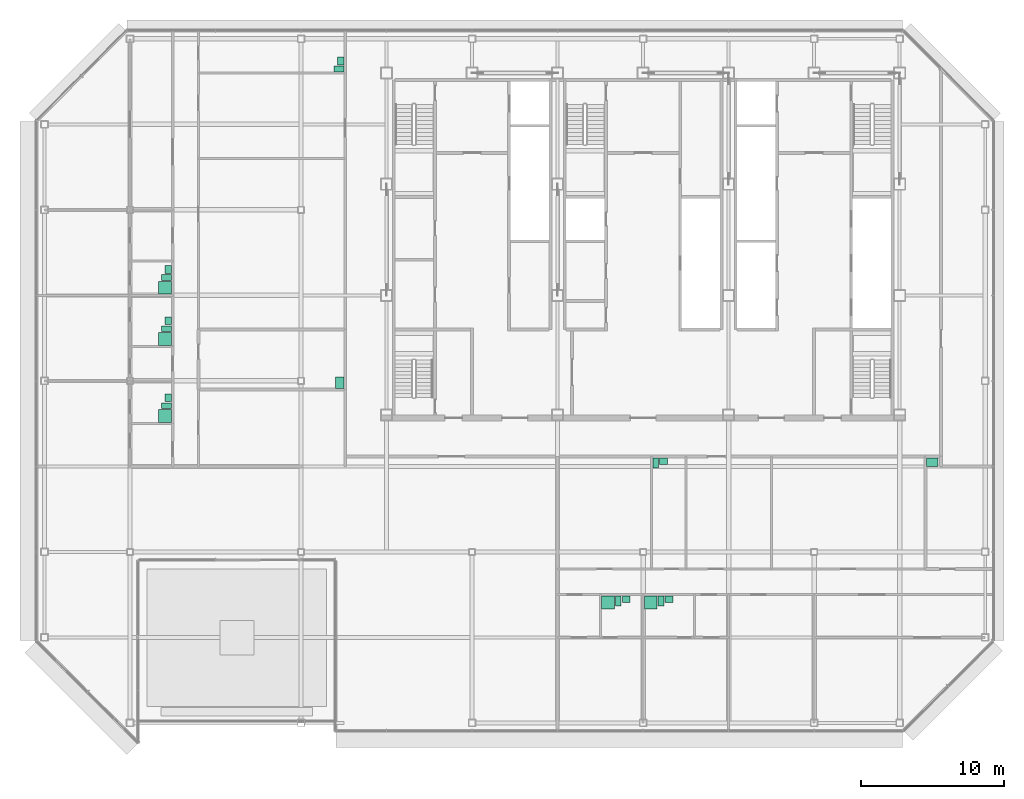
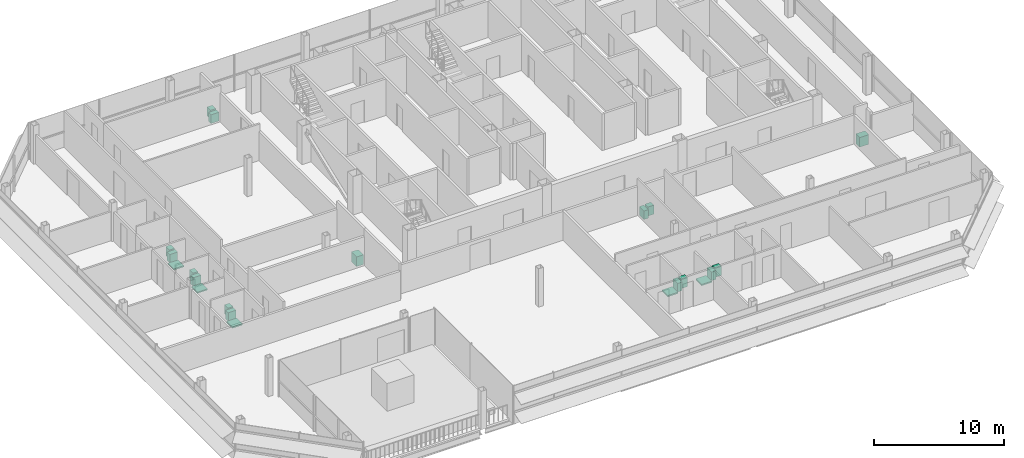
# One storey, part 30 of 31: 21 sanitary terminals.
"""IFC4 building model written with IfcOpenShell, lengths in metres."""

from ifc_helpers import new_model, si_unit, direction, frame, origin, origin_2d, place, context, subcontext, project, spatial, rectangle, extrude, element, save


model = new_model("IFC4")

# Units and contexts
model_context = context("Model", 3, precision=1e-05, world=origin(), true_north=direction((0.0, 1.0)))
body_context = subcontext(model_context, "Body", "Model", "MODEL_VIEW")
ifc_project = project(units=[si_unit("LENGTHUNIT", "METRE"), si_unit("AREAUNIT", "SQUARE_METRE"), si_unit("VOLUMEUNIT", "CUBIC_METRE"), si_unit("PLANEANGLEUNIT", "RADIAN"), si_unit("MASSUNIT", "GRAM", prefix="KILO")], contexts=[model_context])

# Site, building, storey
site_placement = place(None, origin())
site = spatial("IfcSite", under=ifc_project, at=site_placement, CompositionType="ELEMENT")
building_placement = place(site_placement, origin())
building = spatial("IfcBuilding", under=site, at=building_placement, Name="Sorahane Residences", CompositionType="ELEMENT")
storey_placement = place(building_placement, frame((0.0, 0.0, 319.60009765625)))
storey = spatial("IfcBuildingStorey", under=building, at=storey_placement, Name="L76", CompositionType="ELEMENT", Elevation=319.60009765625)

# Sanitary terminals
sanitary_terminal_1_placement = place(storey_placement, frame((21.530029296875, 8.449951171875, -0.000244140625), z_axis=(0.0, 0.0, 1.0), x_axis=(1.0, 0.0, 0.0)))
element("IfcSanitaryTerminal", 1, at=sanitary_terminal_1_placement, inside=storey, Name="Shower tray En-suite bathroom 76B", PredefinedType="SHOWER", context=body_context, shape_type="SweptSolid", body=[
    extrude(rectangle(XDim=0.89990234375, YDim=0.89990234375, at=origin_2d()), origin(), (0.0, 0.0, 1.0), 0.1201171875),
])
sanitary_terminal_2_placement = place(storey_placement, frame((22.260009765625, 8.550048828125, 0.0), z_axis=(0.0, 0.0, 1.0), x_axis=(1.0, 0.0, 0.0)))
element("IfcSanitaryTerminal", 2, at=sanitary_terminal_2_placement, inside=storey, Name="WC pan En-suite bathroom 76B", PredefinedType="TOILETPAN", context=body_context, shape_type="SweptSolid", body=[
    extrude(rectangle(XDim=0.39990234375, YDim=0.699951171875, at=origin_2d()), origin(), (0.0, 0.0, 1.0), 0.800048828125),
])
sanitary_terminal_3_placement = place(storey_placement, frame((22.81494140625, 8.675048828125, -0.000244140625), z_axis=(0.0, 0.0, 1.0), x_axis=(1.0, 0.0, 0.0)))
element("IfcSanitaryTerminal", 3, at=sanitary_terminal_3_placement, inside=storey, Name="Wash basin En-suite bathroom 76B", PredefinedType="WASHHANDBASIN", context=body_context, shape_type="SweptSolid", body=[
    extrude(rectangle(XDim=0.550048828125, YDim=0.449951171875, at=origin_2d()), origin(), (0.0, 0.0, 1.0), 0.85009765625),
])
sanitary_terminal_4_placement = place(storey_placement, frame((24.530029296875, 8.449951171875, -0.000244140625), z_axis=(0.0, 0.0, 1.0), x_axis=(1.0, 0.0, 0.0)))
element("IfcSanitaryTerminal", 4, at=sanitary_terminal_4_placement, inside=storey, Name="Shower tray En-suite bathroom 76B-2", PredefinedType="SHOWER", context=body_context, shape_type="SweptSolid", body=[
    extrude(rectangle(XDim=0.89990234375, YDim=0.89990234375, at=origin_2d()), origin(), (0.0, 0.0, 1.0), 0.1201171875),
])
sanitary_terminal_5_placement = place(storey_placement, frame((25.260009765625, 8.550048828125, 0.0), z_axis=(0.0, 0.0, 1.0), x_axis=(1.0, 0.0, 0.0)))
element("IfcSanitaryTerminal", 5, at=sanitary_terminal_5_placement, inside=storey, Name="WC pan En-suite bathroom 76B-2", PredefinedType="TOILETPAN", context=body_context, shape_type="SweptSolid", body=[
    extrude(rectangle(XDim=0.39990234375, YDim=0.699951171875, at=origin_2d()), origin(), (0.0, 0.0, 1.0), 0.800048828125),
])
sanitary_terminal_6_placement = place(storey_placement, frame((25.81494140625, 8.675048828125, -0.000244140625), z_axis=(0.0, 0.0, 1.0), x_axis=(1.0, 0.0, 0.0)))
element("IfcSanitaryTerminal", 6, at=sanitary_terminal_6_placement, inside=storey, Name="Wash basin En-suite bathroom 76B-2", PredefinedType="WASHHANDBASIN", context=body_context, shape_type="SweptSolid", body=[
    extrude(rectangle(XDim=0.550048828125, YDim=0.449951171875, at=origin_2d()), origin(), (0.0, 0.0, 1.0), 0.85009765625),
])
sanitary_terminal_7_placement = place(storey_placement, frame((24.8798828125, 18.25, 0.0), z_axis=(0.0, 0.0, 1.0), x_axis=(1.0, 0.0, 0.0)))
element("IfcSanitaryTerminal", 7, at=sanitary_terminal_7_placement, inside=storey, Name="WC pan Guest WC 76B", PredefinedType="TOILETPAN", context=body_context, shape_type="SweptSolid", body=[
    extrude(rectangle(XDim=0.39990234375, YDim=0.699951171875, at=origin_2d()), origin(), (0.0, 0.0, 1.0), 0.800048828125),
])
sanitary_terminal_8_placement = place(storey_placement, frame((25.43505859375, 18.375, -0.000244140625), z_axis=(0.0, 0.0, 1.0), x_axis=(1.0, 0.0, 0.0)))
element("IfcSanitaryTerminal", 8, at=sanitary_terminal_8_placement, inside=storey, Name="Wash basin Guest WC 76B", PredefinedType="WASHHANDBASIN", context=body_context, shape_type="SweptSolid", body=[
    extrude(rectangle(XDim=0.550048828125, YDim=0.449951171875, at=origin_2d()), origin(), (0.0, 0.0, 1.0), 0.85009765625),
])
sanitary_terminal_9_placement = place(storey_placement, frame((44.280029296875, 18.300048828125, 0.0), z_axis=(0.0, 0.0, 1.0), x_axis=(1.0, 0.0, 0.0)))
element("IfcSanitaryTerminal", 9, at=sanitary_terminal_9_placement, inside=storey, Name="Kitchen sink Kitchen 76B", PredefinedType="SINK", context=body_context, shape_type="SweptSolid", body=[
    extrude(rectangle(XDim=0.800048828125, YDim=0.60009765625, at=origin_2d()), origin(), (0.0, 0.0, 1.0), 0.89990234375),
])
sanitary_terminal_10_placement = place(storey_placement, frame((-9.550048828125, 21.530029296875, -0.000244140625), z_axis=(0.0, 0.0, 1.0), x_axis=(0.0, -1.0, 0.0)))
element("IfcSanitaryTerminal", 10, at=sanitary_terminal_10_placement, inside=storey, Name="Shower tray En-suite bathroom 76C", PredefinedType="SHOWER", context=body_context, shape_type="SweptSolid", body=[
    extrude(rectangle(XDim=0.89990234375, YDim=0.89990234375, at=origin_2d()), origin(), (0.0, 0.0, 1.0), 0.1201171875),
])
sanitary_terminal_11_placement = place(storey_placement, frame((-9.449951171875, 22.260009765625, 0.0), z_axis=(0.0, 0.0, 1.0), x_axis=(0.0, -1.0, 0.0)))
element("IfcSanitaryTerminal", 11, at=sanitary_terminal_11_placement, inside=storey, Name="WC pan En-suite bathroom 76C", PredefinedType="TOILETPAN", context=body_context, shape_type="SweptSolid", body=[
    extrude(rectangle(XDim=0.39990234375, YDim=0.699951171875, at=origin_2d()), origin(), (0.0, 0.0, 1.0), 0.800048828125),
])
sanitary_terminal_12_placement = place(storey_placement, frame((-9.324951171875, 22.81494140625, -0.000244140625), z_axis=(0.0, 0.0, 1.0), x_axis=(0.0, -1.0, 0.0)))
element("IfcSanitaryTerminal", 12, at=sanitary_terminal_12_placement, inside=storey, Name="Wash basin En-suite bathroom 76C", PredefinedType="WASHHANDBASIN", context=body_context, shape_type="SweptSolid", body=[
    extrude(rectangle(XDim=0.550048828125, YDim=0.449951171875, at=origin_2d()), origin(), (0.0, 0.0, 1.0), 0.85009765625),
])
sanitary_terminal_13_placement = place(storey_placement, frame((-9.550048828125, 26.929931640625, -0.000244140625), z_axis=(0.0, 0.0, 1.0), x_axis=(0.0, -1.0, 0.0)))
element("IfcSanitaryTerminal", 13, at=sanitary_terminal_13_placement, inside=storey, Name="Shower tray En-suite bathroom 76C-2", PredefinedType="SHOWER", context=body_context, shape_type="SweptSolid", body=[
    extrude(rectangle(XDim=0.89990234375, YDim=0.89990234375, at=origin_2d()), origin(), (0.0, 0.0, 1.0), 0.1201171875),
])
sanitary_terminal_14_placement = place(storey_placement, frame((-9.449951171875, 27.659912109375, 0.0), z_axis=(0.0, 0.0, 1.0), x_axis=(0.0, -1.0, 0.0)))
element("IfcSanitaryTerminal", 14, at=sanitary_terminal_14_placement, inside=storey, Name="WC pan En-suite bathroom 76C-2", PredefinedType="TOILETPAN", context=body_context, shape_type="SweptSolid", body=[
    extrude(rectangle(XDim=0.39990234375, YDim=0.699951171875, at=origin_2d()), origin(), (0.0, 0.0, 1.0), 0.800048828125),
])
sanitary_terminal_15_placement = place(storey_placement, frame((-9.324951171875, 28.215087890625, -0.000244140625), z_axis=(0.0, 0.0, 1.0), x_axis=(0.0, -1.0, 0.0)))
element("IfcSanitaryTerminal", 15, at=sanitary_terminal_15_placement, inside=storey, Name="Wash basin En-suite bathroom 76C-2", PredefinedType="WASHHANDBASIN", context=body_context, shape_type="SweptSolid", body=[
    extrude(rectangle(XDim=0.550048828125, YDim=0.449951171875, at=origin_2d()), origin(), (0.0, 0.0, 1.0), 0.85009765625),
])
sanitary_terminal_16_placement = place(storey_placement, frame((-9.550048828125, 30.530029296875, -0.000244140625), z_axis=(0.0, 0.0, 1.0), x_axis=(0.0, -1.0, 0.0)))
element("IfcSanitaryTerminal", 16, at=sanitary_terminal_16_placement, inside=storey, Name="Shower tray En-suite bathroom 76C-3", PredefinedType="SHOWER", context=body_context, shape_type="SweptSolid", body=[
    extrude(rectangle(XDim=0.89990234375, YDim=0.89990234375, at=origin_2d()), origin(), (0.0, 0.0, 1.0), 0.1201171875),
])
sanitary_terminal_17_placement = place(storey_placement, frame((-9.449951171875, 31.260009765625, 0.0), z_axis=(0.0, 0.0, 1.0), x_axis=(0.0, -1.0, 0.0)))
element("IfcSanitaryTerminal", 17, at=sanitary_terminal_17_placement, inside=storey, Name="WC pan En-suite bathroom 76C-3", PredefinedType="TOILETPAN", context=body_context, shape_type="SweptSolid", body=[
    extrude(rectangle(XDim=0.39990234375, YDim=0.699951171875, at=origin_2d()), origin(), (0.0, 0.0, 1.0), 0.800048828125),
])
sanitary_terminal_18_placement = place(storey_placement, frame((-9.324951171875, 31.81494140625, -0.000244140625), z_axis=(0.0, 0.0, 1.0), x_axis=(0.0, -1.0, 0.0)))
element("IfcSanitaryTerminal", 18, at=sanitary_terminal_18_placement, inside=storey, Name="Wash basin En-suite bathroom 76C-3", PredefinedType="WASHHANDBASIN", context=body_context, shape_type="SweptSolid", body=[
    extrude(rectangle(XDim=0.550048828125, YDim=0.449951171875, at=origin_2d()), origin(), (0.0, 0.0, 1.0), 0.85009765625),
])
sanitary_terminal_19_placement = place(storey_placement, frame((2.699951171875, 23.8798828125, 0.0), z_axis=(0.0, 0.0, 1.0), x_axis=(0.0, -1.0, 0.0)))
element("IfcSanitaryTerminal", 19, at=sanitary_terminal_19_placement, inside=storey, Name="Kitchen sink Kitchen 76C", PredefinedType="SINK", context=body_context, shape_type="SweptSolid", body=[
    extrude(rectangle(XDim=0.800048828125, YDim=0.60009765625, at=origin_2d()), origin(), (0.0, 0.0, 1.0), 0.89990234375),
])
sanitary_terminal_20_placement = place(storey_placement, frame((2.64990234375, 45.8798828125, 0.0), z_axis=(0.0, 0.0, 1.0), x_axis=(0.0, -1.0, 0.0)))
element("IfcSanitaryTerminal", 20, at=sanitary_terminal_20_placement, inside=storey, Name="WC pan Powder room 76C", PredefinedType="TOILETPAN", context=body_context, shape_type="SweptSolid", body=[
    extrude(rectangle(XDim=0.39990234375, YDim=0.699951171875, at=origin_2d()), origin(), (0.0, 0.0, 1.0), 0.800048828125),
])
sanitary_terminal_21_placement = place(storey_placement, frame((2.77490234375, 46.43505859375, -0.000244140625), z_axis=(0.0, 0.0, 1.0), x_axis=(0.0, -1.0, 0.0)))
element("IfcSanitaryTerminal", 21, at=sanitary_terminal_21_placement, inside=storey, Name="Wash basin Powder room 76C", PredefinedType="WASHHANDBASIN", context=body_context, shape_type="SweptSolid", body=[
    extrude(rectangle(XDim=0.550048828125, YDim=0.449951171875, at=origin_2d()), origin(), (0.0, 0.0, 1.0), 0.85009765625),
])

save(model, "model.ifc")
